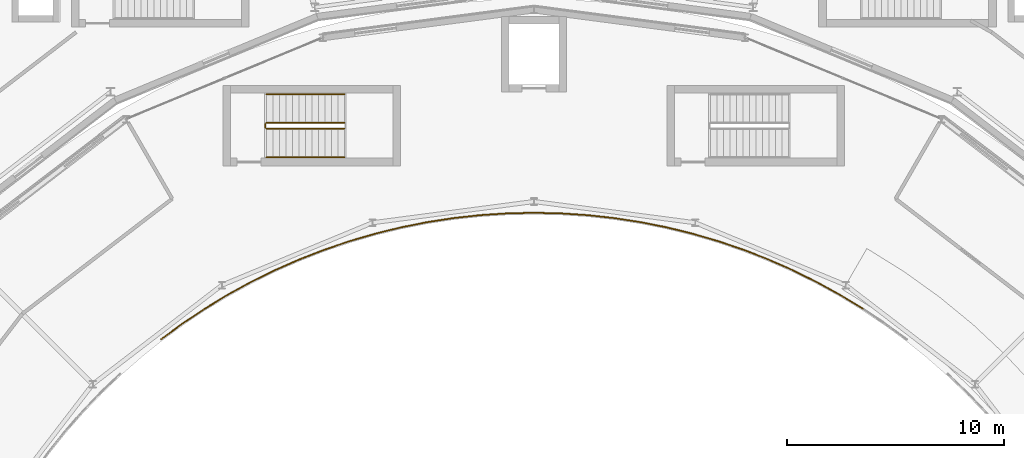
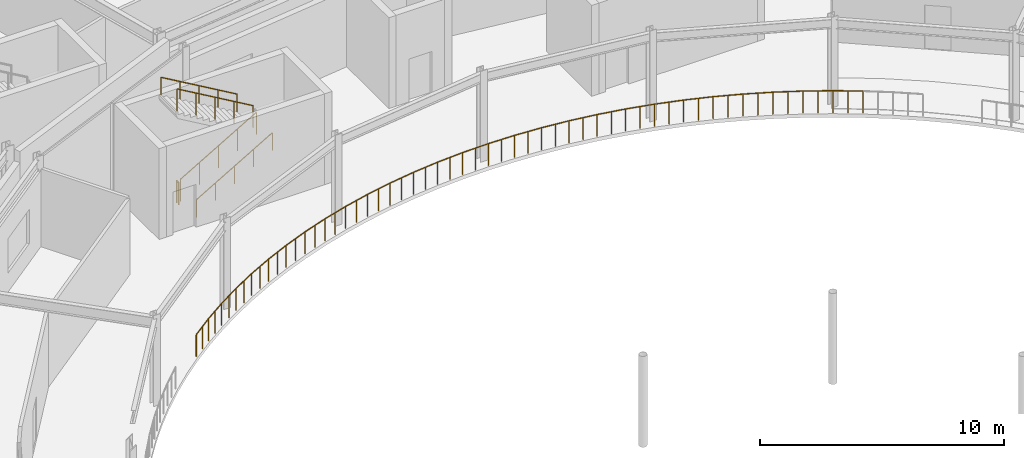
# One storey, part 148 of 157: 33 railings.
"""IFC4 building model written with IfcOpenShell, lengths in metres."""

from ifc_helpers import new_model, si_unit, direction, frame, origin, origin_2d, place, context, subcontext, project, spatial, circle, extrude, material, type_object, element, save


model = new_model("IFC4")

# Units and contexts
model_context = context("Model", 3, precision=1e-05, world=origin(), true_north=direction((0.0, 1.0)))
body_context = subcontext(model_context, "Body", "Model", "MODEL_VIEW")
ifc_project = project(units=[si_unit("LENGTHUNIT", "METRE"), si_unit("AREAUNIT", "SQUARE_METRE"), si_unit("VOLUMEUNIT", "CUBIC_METRE"), si_unit("PLANEANGLEUNIT", "RADIAN"), si_unit("MASSUNIT", "GRAM", prefix="KILO")], contexts=[model_context])

# Site, building, storey
site_placement = place(None, origin())
site = spatial("IfcSite", under=ifc_project, at=site_placement, CompositionType="ELEMENT")
building_placement = place(site_placement, origin())
building = spatial("IfcBuilding", under=site, at=building_placement, Name="Almandine Court Research Institute", CompositionType="ELEMENT")
storey_placement = place(building_placement, frame((0.0, 0.0, 5.25)))
storey = spatial("IfcBuildingStorey", under=building, at=storey_placement, Name="L01", CompositionType="ELEMENT", Elevation=5.25)

# Railings
ifc_material_1 = material(Name="Powder-Coated Steel Stair and Atrium Balustrade", Category="steel")
railing_type_1 = type_object("IfcRailingType", Name="Rail-GUARD-INT", PredefinedType="BALUSTRADE", material=ifc_material_1)
railing_1_placement = place(storey_placement, frame((74.64990234375, 88.169921875, 0.175048828125)))
element("IfcRailing", 1, at=railing_1_placement, inside=storey, type_object=railing_type_1, Name="L01 ST-04 stair guard 1", PredefinedType="BALUSTRADE", context=body_context, shape_type="SweptSolid", body=[
    extrude(circle(Radius=0.02392578125, at=origin_2d()), frame((0.0, 0.0, 1.09619140625), z_axis=(0.863800146258, 0.0, 0.503834603144), x_axis=(0.0, 1.0, 0.0)), (0.0, 0.0, 1.0), 4.167724609375),
    extrude(circle(Radius=0.02099609375, at=origin_2d()), origin(), (0.0, 0.0, 1.0), 1.072021484375),
    extrude(circle(Radius=0.02099609375, at=origin_2d()), frame((0.89990234375, 0.0, 0.52490234375)), (0.0, 0.0, 1.0), 1.072021484375),
    extrude(circle(Radius=0.02099609375, at=origin_2d()), frame((1.800048828125, 0.0, 1.0498046875)), (0.0, 0.0, 1.0), 1.072021484375),
    extrude(circle(Radius=0.02099609375, at=origin_2d()), frame((2.7001953125, 0.0, 1.574951171875)), (0.0, 0.0, 1.0), 1.072021484375),
    extrude(circle(Radius=0.02099609375, at=origin_2d()), frame((3.60009765625, 0.0, 2.099853515625)), (0.0, 0.0, 1.0), 1.072021484375),
])
railing_2_placement = place(storey_placement, frame((78.25, 88.429931640625, 2.449951171875)))
element("IfcRailing", 2, at=railing_2_placement, inside=storey, type_object=railing_type_1, Name="L01 ST-04 stair guard 3", PredefinedType="BALUSTRADE", context=body_context, shape_type="SweptSolid", body=[
    extrude(circle(Radius=0.02392578125, at=origin_2d()), frame((0.0, 0.0, 1.09619140625), z_axis=(-0.863774651768, 0.0, 0.503878309678), x_axis=(0.0, -1.0, 0.0)), (0.0, 0.0, 1.0), 4.16796875),
    extrude(circle(Radius=0.02099609375, at=origin_2d()), origin(), (0.0, 0.0, 1.0), 1.072021484375),
    extrude(circle(Radius=0.02099609375, at=origin_2d()), frame((-0.89990234375, 0.0, 0.52490234375)), (0.0, 0.0, 1.0), 1.072021484375),
    extrude(circle(Radius=0.02099609375, at=origin_2d()), frame((-1.800048828125, 0.0, 1.050048828125)), (0.0, 0.0, 1.0), 1.072021484375),
    extrude(circle(Radius=0.02099609375, at=origin_2d()), frame((-2.7001953125, 0.0, 1.5751953125)), (0.0, 0.0, 1.0), 1.072021484375),
    extrude(circle(Radius=0.02099609375, at=origin_2d()), frame((-3.60009765625, 0.0, 2.10009765625)), (0.0, 0.0, 1.0), 1.072021484375),
])
railing_3_placement = place(storey_placement, frame((74.60009765625, 88.219970703125, 0.0)))
element("IfcRailing", 3, at=railing_3_placement, inside=storey, type_object=railing_type_1, Name="L01 ST-04 stair guard 4", PredefinedType="BALUSTRADE", context=body_context, shape_type="SweptSolid", body=[
    extrude(circle(Radius=0.02392578125, at=origin_2d()), frame((0.0, 0.0, 1.09619140625), z_axis=(0.0, 1.0, 0.0), x_axis=(-1.0, 0.0, 0.0)), (0.0, 0.0, 1.0), 0.159912109375),
    extrude(circle(Radius=0.02099609375, at=origin_2d()), origin(), (0.0, 0.0, 1.0), 1.072021484375),
    extrude(circle(Radius=0.02099609375, at=origin_2d()), frame((0.0, 0.159912109375, 0.0)), (0.0, 0.0, 1.0), 1.072021484375),
])
railing_4_placement = place(storey_placement, frame((102.195068359375, 79.85107421875, 0.0)))
element("IfcRailing", 4, at=railing_4_placement, inside=storey, type_object=railing_type_1, Name="L01 Atrium Gallery Void Balustrade 036", PredefinedType="BALUSTRADE", context=body_context, shape_type="SweptSolid", body=[
    extrude(circle(Radius=0.02392578125, at=origin_2d()), frame((0.0, 0.0, 1.09619140625), z_axis=(-0.855056961461, 0.518534080516, 0.0), x_axis=(-0.518534080516, -0.855056961461, 0.0)), (0.0, 0.0, 1.0), 1.234130859375),
    extrude(circle(Radius=0.02099609375, at=origin_2d()), origin(), (0.0, 0.0, 1.0), 1.072021484375),
    extrude(circle(Radius=0.02099609375, at=origin_2d()), frame((-0.527587890625, 0.31982421875, 0.0)), (0.0, 0.0, 1.0), 1.072021484375),
    extrude(circle(Radius=0.02099609375, at=origin_2d()), frame((-1.05517578125, 0.639892578125, 0.0)), (0.0, 0.0, 1.0), 1.072021484375),
])
railing_5_placement = place(storey_placement, frame((101.139892578125, 80.490966796875, 0.0)))
element("IfcRailing", 5, at=railing_5_placement, inside=storey, type_object=railing_type_1, Name="L01 Atrium Gallery Void Balustrade 037", PredefinedType="BALUSTRADE", context=body_context, shape_type="SweptSolid", body=[
    extrude(circle(Radius=0.02392578125, at=origin_2d()), frame((0.0, 0.0, 1.09619140625), z_axis=(-0.876554004385, 0.481303518995, 0.0), x_axis=(-0.481303518995, -0.876554004385, 0.0)), (0.0, 0.0, 1.0), 1.234130859375),
    extrude(circle(Radius=0.02099609375, at=origin_2d()), origin(), (0.0, 0.0, 1.0), 1.072021484375),
    extrude(circle(Radius=0.02099609375, at=origin_2d()), frame((-0.541015625, 0.296875, 0.0)), (0.0, 0.0, 1.0), 1.072021484375),
    extrude(circle(Radius=0.02099609375, at=origin_2d()), frame((-1.081787109375, 0.593994140625, 0.0)), (0.0, 0.0, 1.0), 1.072021484375),
])
railing_6_placement = place(storey_placement, frame((100.05810546875, 81.0849609375, 0.0)))
element("IfcRailing", 6, at=railing_6_placement, inside=storey, type_object=railing_type_1, Name="L01 Atrium Gallery Void Balustrade 038", PredefinedType="BALUSTRADE", context=body_context, shape_type="SweptSolid", body=[
    extrude(circle(Radius=0.02392578125, at=origin_2d()), frame((0.0, 0.0, 1.09619140625), z_axis=(-0.897064435148, 0.441899761476, 0.0), x_axis=(-0.441899761476, -0.897064435148, 0.0)), (0.0, 0.0, 1.0), 1.233154296875),
    extrude(circle(Radius=0.02099609375, at=origin_2d()), origin(), (0.0, 0.0, 1.0), 1.072021484375),
    extrude(circle(Radius=0.02099609375, at=origin_2d()), frame((-0.55322265625, 0.2724609375, 0.0)), (0.0, 0.0, 1.0), 1.072021484375),
    extrude(circle(Radius=0.02099609375, at=origin_2d()), frame((-1.106201171875, 0.544921875, 0.0)), (0.0, 0.0, 1.0), 1.072021484375),
])
railing_7_placement = place(storey_placement, frame((98.951904296875, 81.6298828125, 0.0)))
element("IfcRailing", 7, at=railing_7_placement, inside=storey, type_object=railing_type_1, Name="L01 Atrium Gallery Void Balustrade 039", PredefinedType="BALUSTRADE", context=body_context, shape_type="SweptSolid", body=[
    extrude(circle(Radius=0.02392578125, at=origin_2d()), frame((0.0, 0.0, 1.09619140625), z_axis=(-0.915338361823, 0.402685588736, 0.0), x_axis=(-0.402685588736, -0.915338361823, 0.0)), (0.0, 0.0, 1.0), 1.234375),
    extrude(circle(Radius=0.02099609375, at=origin_2d()), origin(), (0.0, 0.0, 1.0), 1.072021484375),
    extrude(circle(Radius=0.02099609375, at=origin_2d()), frame((-0.56494140625, 0.24853515625, 0.0)), (0.0, 0.0, 1.0), 1.072021484375),
    extrude(circle(Radius=0.02099609375, at=origin_2d()), frame((-1.1298828125, 0.4970703125, 0.0)), (0.0, 0.0, 1.0), 1.072021484375),
])
railing_8_placement = place(storey_placement, frame((97.822021484375, 82.126953125, 0.0)))
element("IfcRailing", 8, at=railing_8_placement, inside=storey, type_object=railing_type_1, Name="L01 Atrium Gallery Void Balustrade 040", PredefinedType="BALUSTRADE", context=body_context, shape_type="SweptSolid", body=[
    extrude(circle(Radius=0.02392578125, at=origin_2d()), frame((0.0, 0.0, 1.09619140625), z_axis=(-0.931781737295, 0.363018999562, 0.0), x_axis=(-0.363018999562, -0.931781737295, 0.0)), (0.0, 0.0, 1.0), 1.234130859375),
    extrude(circle(Radius=0.02099609375, at=origin_2d()), origin(), (0.0, 0.0, 1.0), 1.072021484375),
    extrude(circle(Radius=0.02099609375, at=origin_2d()), frame((-0.574951171875, 0.22412109375, 0.0)), (0.0, 0.0, 1.0), 1.072021484375),
    extrude(circle(Radius=0.02099609375, at=origin_2d()), frame((-1.14990234375, 0.447998046875, 0.0)), (0.0, 0.0, 1.0), 1.072021484375),
])
railing_9_placement = place(storey_placement, frame((96.672119140625, 82.574951171875, 0.0)))
element("IfcRailing", 9, at=railing_9_placement, inside=storey, type_object=railing_type_1, Name="L01 Atrium Gallery Void Balustrade 041", PredefinedType="BALUSTRADE", context=body_context, shape_type="SweptSolid", body=[
    extrude(circle(Radius=0.02392578125, at=origin_2d()), frame((0.0, 0.0, 1.09619140625), z_axis=(-0.947067919328, 0.321033263354, 0.0), x_axis=(-0.321033263354, -0.947067919328, 0.0)), (0.0, 0.0, 1.0), 1.2333984375),
    extrude(circle(Radius=0.02099609375, at=origin_2d()), origin(), (0.0, 0.0, 1.0), 1.072021484375),
    extrude(circle(Radius=0.02099609375, at=origin_2d()), frame((-0.583984375, 0.197998046875, 0.0)), (0.0, 0.0, 1.0), 1.072021484375),
    extrude(circle(Radius=0.02099609375, at=origin_2d()), frame((-1.168212890625, 0.39599609375, 0.0)), (0.0, 0.0, 1.0), 1.072021484375),
])
railing_10_placement = place(storey_placement, frame((95.50390625, 82.970947265625, 0.0)))
element("IfcRailing", 10, at=railing_10_placement, inside=storey, type_object=railing_type_1, Name="L01 Atrium Gallery Void Balustrade 042", PredefinedType="BALUSTRADE", context=body_context, shape_type="SweptSolid", body=[
    extrude(circle(Radius=0.02392578125, at=origin_2d()), frame((0.0, 0.0, 1.09619140625), z_axis=(-0.960130629815, 0.279551737055, 0.0), x_axis=(-0.279551737055, -0.960130629815, 0.0)), (0.0, 0.0, 1.0), 1.234130859375),
    extrude(circle(Radius=0.02099609375, at=origin_2d()), origin(), (0.0, 0.0, 1.0), 1.072021484375),
    extrude(circle(Radius=0.02099609375, at=origin_2d()), frame((-0.59228515625, 0.17236328125, 0.0)), (0.0, 0.0, 1.0), 1.072021484375),
    extrude(circle(Radius=0.02099609375, at=origin_2d()), frame((-1.184814453125, 0.344970703125, 0.0)), (0.0, 0.0, 1.0), 1.072021484375),
])
railing_11_placement = place(storey_placement, frame((94.319091796875, 83.31591796875, 0.0)))
element("IfcRailing", 11, at=railing_11_placement, inside=storey, type_object=railing_type_1, Name="L01 Atrium Gallery Void Balustrade 043", PredefinedType="BALUSTRADE", context=body_context, shape_type="SweptSolid", body=[
    extrude(circle(Radius=0.02392578125, at=origin_2d()), frame((0.0, 0.0, 1.09619140625), z_axis=(-0.971146876983, 0.238482165634, 0.0), x_axis=(-0.238482165634, -0.971146876983, 0.0)), (0.0, 0.0, 1.0), 1.233642578125),
    extrude(circle(Radius=0.02099609375, at=origin_2d()), origin(), (0.0, 0.0, 1.0), 1.072021484375),
    extrude(circle(Radius=0.02099609375, at=origin_2d()), frame((-0.59912109375, 0.14697265625, 0.0)), (0.0, 0.0, 1.0), 1.072021484375),
    extrude(circle(Radius=0.02099609375, at=origin_2d()), frame((-1.197998046875, 0.294189453125, 0.0)), (0.0, 0.0, 1.0), 1.072021484375),
])
railing_12_placement = place(storey_placement, frame((93.12109375, 83.610107421875, 0.0)))
element("IfcRailing", 12, at=railing_12_placement, inside=storey, type_object=railing_type_1, Name="L01 Atrium Gallery Void Balustrade 044", PredefinedType="BALUSTRADE", context=body_context, shape_type="SweptSolid", body=[
    extrude(circle(Radius=0.02392578125, at=origin_2d()), frame((0.0, 0.0, 1.09619140625), z_axis=(-0.980899028027, 0.194517600272, 0.0), x_axis=(-0.194517600272, -0.980899028027, 0.0)), (0.0, 0.0, 1.0), 1.23388671875),
    extrude(circle(Radius=0.02099609375, at=origin_2d()), origin(), (0.0, 0.0, 1.0), 1.072021484375),
    extrude(circle(Radius=0.02099609375, at=origin_2d()), frame((-0.60498046875, 0.1201171875, 0.0)), (0.0, 0.0, 1.0), 1.072021484375),
    extrude(circle(Radius=0.02099609375, at=origin_2d()), frame((-1.210205078125, 0.239990234375, 0.0)), (0.0, 0.0, 1.0), 1.072021484375),
])
railing_13_placement = place(storey_placement, frame((91.910888671875, 83.85009765625, 0.0)))
element("IfcRailing", 13, at=railing_13_placement, inside=storey, type_object=railing_type_1, Name="L01 Atrium Gallery Void Balustrade 045", PredefinedType="BALUSTRADE", context=body_context, shape_type="SweptSolid", body=[
    extrude(circle(Radius=0.02392578125, at=origin_2d()), frame((0.0, 0.0, 1.09619140625), z_axis=(-0.988335084408, 0.152294979987, 0.0), x_axis=(-0.152294979987, -0.988335084408, 0.0)), (0.0, 0.0, 1.0), 1.234375),
    extrude(circle(Radius=0.02099609375, at=origin_2d()), origin(), (0.0, 0.0, 1.0), 1.072021484375),
    extrude(circle(Radius=0.02099609375, at=origin_2d()), frame((-0.60986328125, 0.093994140625, 0.0)), (0.0, 0.0, 1.0), 1.072021484375),
    extrude(circle(Radius=0.02099609375, at=origin_2d()), frame((-1.219970703125, 0.18798828125, 0.0)), (0.0, 0.0, 1.0), 1.072021484375),
])
railing_14_placement = place(storey_placement, frame((90.69091796875, 84.0380859375, 0.0)))
element("IfcRailing", 14, at=railing_14_placement, inside=storey, type_object=railing_type_1, Name="L01 Atrium Gallery Void Balustrade 046", PredefinedType="BALUSTRADE", context=body_context, shape_type="SweptSolid", body=[
    extrude(circle(Radius=0.02392578125, at=origin_2d()), frame((0.0, 0.0, 1.09619140625), z_axis=(-0.994075369046, 0.108692965068, 0.0), x_axis=(-0.108692965068, -0.994075369046, 0.0)), (0.0, 0.0, 1.0), 1.233154296875),
    extrude(circle(Radius=0.02099609375, at=origin_2d()), origin(), (0.0, 0.0, 1.0), 1.072021484375),
    extrude(circle(Radius=0.02099609375, at=origin_2d()), frame((-0.61279296875, 0.06689453125, 0.0)), (0.0, 0.0, 1.0), 1.072021484375),
    extrude(circle(Radius=0.02099609375, at=origin_2d()), frame((-1.225830078125, 0.134033203125, 0.0)), (0.0, 0.0, 1.0), 1.072021484375),
])
railing_15_placement = place(storey_placement, frame((89.465087890625, 84.172119140625, 0.0)))
element("IfcRailing", 15, at=railing_15_placement, inside=storey, type_object=railing_type_1, Name="L01 Atrium Gallery Void Balustrade 047", PredefinedType="BALUSTRADE", context=body_context, shape_type="SweptSolid", body=[
    extrude(circle(Radius=0.02392578125, at=origin_2d()), frame((0.0, 0.0, 1.09619140625), z_axis=(-0.99785292307, 0.065494609862, 0.0), x_axis=(-0.065494609862, -0.99785292307, 0.0)), (0.0, 0.0, 1.0), 1.23388671875),
    extrude(circle(Radius=0.02099609375, at=origin_2d()), origin(), (0.0, 0.0, 1.0), 1.072021484375),
    extrude(circle(Radius=0.02099609375, at=origin_2d()), frame((-0.61572265625, 0.04052734375, 0.0)), (0.0, 0.0, 1.0), 1.072021484375),
    extrude(circle(Radius=0.02099609375, at=origin_2d()), frame((-1.231201171875, 0.080810546875, 0.0)), (0.0, 0.0, 1.0), 1.072021484375),
])
railing_16_placement = place(storey_placement, frame((88.23388671875, 84.2529296875, 0.0)))
element("IfcRailing", 16, at=railing_16_placement, inside=storey, type_object=railing_type_1, Name="L01 Atrium Gallery Void Balustrade 048", PredefinedType="BALUSTRADE", context=body_context, shape_type="SweptSolid", body=[
    extrude(circle(Radius=0.02392578125, at=origin_2d()), frame((0.0, 0.0, 1.09619140625), z_axis=(-0.999758904888, 0.021957506617, 0.0), x_axis=(-0.021957506617, -0.999758904888, 0.0)), (0.0, 0.0, 1.0), 1.234130859375),
    extrude(circle(Radius=0.02099609375, at=origin_2d()), origin(), (0.0, 0.0, 1.0), 1.072021484375),
    extrude(circle(Radius=0.02099609375, at=origin_2d()), frame((-0.616943359375, 0.013671875, 0.0)), (0.0, 0.0, 1.0), 1.072021484375),
    extrude(circle(Radius=0.02099609375, at=origin_2d()), frame((-1.23388671875, 0.027099609375, 0.0)), (0.0, 0.0, 1.0), 1.072021484375),
])
railing_17_placement = place(storey_placement, frame((87.0, 84.280029296875, 0.0)))
element("IfcRailing", 17, at=railing_17_placement, inside=storey, type_object=railing_type_1, Name="L01 Atrium Gallery Void Balustrade 049", PredefinedType="BALUSTRADE", context=body_context, shape_type="SweptSolid", body=[
    extrude(circle(Radius=0.02392578125, at=origin_2d()), frame((0.0, 0.0, 1.09619140625), z_axis=(-0.999758904888, -0.021957506617, 0.0), x_axis=(0.021957506617, -0.999758904888, 0.0)), (0.0, 0.0, 1.0), 1.234130859375),
    extrude(circle(Radius=0.02099609375, at=origin_2d()), origin(), (0.0, 0.0, 1.0), 1.072021484375),
    extrude(circle(Radius=0.02099609375, at=origin_2d()), frame((-0.616943359375, -0.013671875, 0.0)), (0.0, 0.0, 1.0), 1.072021484375),
    extrude(circle(Radius=0.02099609375, at=origin_2d()), frame((-1.23388671875, -0.027099609375, 0.0)), (0.0, 0.0, 1.0), 1.072021484375),
])
railing_18_placement = place(storey_placement, frame((85.76611328125, 84.2529296875, 0.0)))
element("IfcRailing", 18, at=railing_18_placement, inside=storey, type_object=railing_type_1, Name="L01 Atrium Gallery Void Balustrade 050", PredefinedType="BALUSTRADE", context=body_context, shape_type="SweptSolid", body=[
    extrude(circle(Radius=0.02392578125, at=origin_2d()), frame((0.0, 0.0, 1.09619140625), z_axis=(-0.99785292307, -0.065494609862, 0.0), x_axis=(0.065494609862, -0.99785292307, 0.0)), (0.0, 0.0, 1.0), 1.23388671875),
    extrude(circle(Radius=0.02099609375, at=origin_2d()), origin(), (0.0, 0.0, 1.0), 1.072021484375),
    extrude(circle(Radius=0.02099609375, at=origin_2d()), frame((-0.61572265625, -0.04052734375, 0.0)), (0.0, 0.0, 1.0), 1.072021484375),
    extrude(circle(Radius=0.02099609375, at=origin_2d()), frame((-1.231201171875, -0.080810546875, 0.0)), (0.0, 0.0, 1.0), 1.072021484375),
])
railing_19_placement = place(storey_placement, frame((84.534912109375, 84.172119140625, 0.0)))
element("IfcRailing", 19, at=railing_19_placement, inside=storey, type_object=railing_type_1, Name="L01 Atrium Gallery Void Balustrade 051", PredefinedType="BALUSTRADE", context=body_context, shape_type="SweptSolid", body=[
    extrude(circle(Radius=0.02392578125, at=origin_2d()), frame((0.0, 0.0, 1.09619140625), z_axis=(-0.994075369046, -0.108692965068, 0.0), x_axis=(0.108692965068, -0.994075369046, 0.0)), (0.0, 0.0, 1.0), 1.233154296875),
    extrude(circle(Radius=0.02099609375, at=origin_2d()), origin(), (0.0, 0.0, 1.0), 1.072021484375),
    extrude(circle(Radius=0.02099609375, at=origin_2d()), frame((-0.61279296875, -0.06689453125, 0.0)), (0.0, 0.0, 1.0), 1.072021484375),
    extrude(circle(Radius=0.02099609375, at=origin_2d()), frame((-1.225830078125, -0.134033203125, 0.0)), (0.0, 0.0, 1.0), 1.072021484375),
])
railing_20_placement = place(storey_placement, frame((83.30908203125, 84.0380859375, 0.0)))
element("IfcRailing", 20, at=railing_20_placement, inside=storey, type_object=railing_type_1, Name="L01 Atrium Gallery Void Balustrade 052", PredefinedType="BALUSTRADE", context=body_context, shape_type="SweptSolid", body=[
    extrude(circle(Radius=0.02392578125, at=origin_2d()), frame((0.0, 0.0, 1.09619140625), z_axis=(-0.988335084408, -0.152294979987, 0.0), x_axis=(0.152294979987, -0.988335084408, 0.0)), (0.0, 0.0, 1.0), 1.234375),
    extrude(circle(Radius=0.02099609375, at=origin_2d()), origin(), (0.0, 0.0, 1.0), 1.072021484375),
    extrude(circle(Radius=0.02099609375, at=origin_2d()), frame((-0.60986328125, -0.093994140625, 0.0)), (0.0, 0.0, 1.0), 1.072021484375),
    extrude(circle(Radius=0.02099609375, at=origin_2d()), frame((-1.219970703125, -0.18798828125, 0.0)), (0.0, 0.0, 1.0), 1.072021484375),
])
railing_21_placement = place(storey_placement, frame((82.089111328125, 83.85009765625, 0.0)))
element("IfcRailing", 21, at=railing_21_placement, inside=storey, type_object=railing_type_1, Name="L01 Atrium Gallery Void Balustrade 053", PredefinedType="BALUSTRADE", context=body_context, shape_type="SweptSolid", body=[
    extrude(circle(Radius=0.02392578125, at=origin_2d()), frame((0.0, 0.0, 1.09619140625), z_axis=(-0.980899028027, -0.194517600272, 0.0), x_axis=(0.194517600272, -0.980899028027, 0.0)), (0.0, 0.0, 1.0), 1.23388671875),
    extrude(circle(Radius=0.02099609375, at=origin_2d()), origin(), (0.0, 0.0, 1.0), 1.072021484375),
    extrude(circle(Radius=0.02099609375, at=origin_2d()), frame((-0.60498046875, -0.1201171875, 0.0)), (0.0, 0.0, 1.0), 1.072021484375),
    extrude(circle(Radius=0.02099609375, at=origin_2d()), frame((-1.210205078125, -0.239990234375, 0.0)), (0.0, 0.0, 1.0), 1.072021484375),
])
railing_22_placement = place(storey_placement, frame((80.87890625, 83.610107421875, 0.0)))
element("IfcRailing", 22, at=railing_22_placement, inside=storey, type_object=railing_type_1, Name="L01 Atrium Gallery Void Balustrade 054", PredefinedType="BALUSTRADE", context=body_context, shape_type="SweptSolid", body=[
    extrude(circle(Radius=0.02392578125, at=origin_2d()), frame((0.0, 0.0, 1.09619140625), z_axis=(-0.971146876983, -0.238482165634, 0.0), x_axis=(0.238482165634, -0.971146876983, 0.0)), (0.0, 0.0, 1.0), 1.233642578125),
    extrude(circle(Radius=0.02099609375, at=origin_2d()), origin(), (0.0, 0.0, 1.0), 1.072021484375),
    extrude(circle(Radius=0.02099609375, at=origin_2d()), frame((-0.59912109375, -0.14697265625, 0.0)), (0.0, 0.0, 1.0), 1.072021484375),
    extrude(circle(Radius=0.02099609375, at=origin_2d()), frame((-1.197998046875, -0.294189453125, 0.0)), (0.0, 0.0, 1.0), 1.072021484375),
])
railing_23_placement = place(storey_placement, frame((79.680908203125, 83.31591796875, 0.0)))
element("IfcRailing", 23, at=railing_23_placement, inside=storey, type_object=railing_type_1, Name="L01 Atrium Gallery Void Balustrade 055", PredefinedType="BALUSTRADE", context=body_context, shape_type="SweptSolid", body=[
    extrude(circle(Radius=0.02392578125, at=origin_2d()), frame((0.0, 0.0, 1.09619140625), z_axis=(-0.960130629815, -0.279551737055, 0.0), x_axis=(0.279551737055, -0.960130629815, 0.0)), (0.0, 0.0, 1.0), 1.234130859375),
    extrude(circle(Radius=0.02099609375, at=origin_2d()), origin(), (0.0, 0.0, 1.0), 1.072021484375),
    extrude(circle(Radius=0.02099609375, at=origin_2d()), frame((-0.59228515625, -0.17236328125, 0.0)), (0.0, 0.0, 1.0), 1.072021484375),
    extrude(circle(Radius=0.02099609375, at=origin_2d()), frame((-1.184814453125, -0.344970703125, 0.0)), (0.0, 0.0, 1.0), 1.072021484375),
])
railing_24_placement = place(storey_placement, frame((78.49609375, 82.970947265625, 0.0)))
element("IfcRailing", 24, at=railing_24_placement, inside=storey, type_object=railing_type_1, Name="L01 Atrium Gallery Void Balustrade 056", PredefinedType="BALUSTRADE", context=body_context, shape_type="SweptSolid", body=[
    extrude(circle(Radius=0.02392578125, at=origin_2d()), frame((0.0, 0.0, 1.09619140625), z_axis=(-0.947067919328, -0.321033263354, 0.0), x_axis=(0.321033263354, -0.947067919328, 0.0)), (0.0, 0.0, 1.0), 1.2333984375),
    extrude(circle(Radius=0.02099609375, at=origin_2d()), origin(), (0.0, 0.0, 1.0), 1.072021484375),
    extrude(circle(Radius=0.02099609375, at=origin_2d()), frame((-0.583984375, -0.197998046875, 0.0)), (0.0, 0.0, 1.0), 1.072021484375),
    extrude(circle(Radius=0.02099609375, at=origin_2d()), frame((-1.168212890625, -0.39599609375, 0.0)), (0.0, 0.0, 1.0), 1.072021484375),
])
railing_25_placement = place(storey_placement, frame((77.327880859375, 82.574951171875, 0.0)))
element("IfcRailing", 25, at=railing_25_placement, inside=storey, type_object=railing_type_1, Name="L01 Atrium Gallery Void Balustrade 057", PredefinedType="BALUSTRADE", context=body_context, shape_type="SweptSolid", body=[
    extrude(circle(Radius=0.02392578125, at=origin_2d()), frame((0.0, 0.0, 1.09619140625), z_axis=(-0.931781737295, -0.363018999562, 0.0), x_axis=(0.363018999562, -0.931781737295, 0.0)), (0.0, 0.0, 1.0), 1.234130859375),
    extrude(circle(Radius=0.02099609375, at=origin_2d()), origin(), (0.0, 0.0, 1.0), 1.072021484375),
    extrude(circle(Radius=0.02099609375, at=origin_2d()), frame((-0.574951171875, -0.22412109375, 0.0)), (0.0, 0.0, 1.0), 1.072021484375),
    extrude(circle(Radius=0.02099609375, at=origin_2d()), frame((-1.14990234375, -0.447998046875, 0.0)), (0.0, 0.0, 1.0), 1.072021484375),
])
railing_26_placement = place(storey_placement, frame((76.177978515625, 82.126953125, 0.0)))
element("IfcRailing", 26, at=railing_26_placement, inside=storey, type_object=railing_type_1, Name="L01 Atrium Gallery Void Balustrade 058", PredefinedType="BALUSTRADE", context=body_context, shape_type="SweptSolid", body=[
    extrude(circle(Radius=0.02392578125, at=origin_2d()), frame((0.0, 0.0, 1.09619140625), z_axis=(-0.915338361823, -0.402685588736, 0.0), x_axis=(0.402685588736, -0.915338361823, 0.0)), (0.0, 0.0, 1.0), 1.234375),
    extrude(circle(Radius=0.02099609375, at=origin_2d()), origin(), (0.0, 0.0, 1.0), 1.072021484375),
    extrude(circle(Radius=0.02099609375, at=origin_2d()), frame((-0.56494140625, -0.24853515625, 0.0)), (0.0, 0.0, 1.0), 1.072021484375),
    extrude(circle(Radius=0.02099609375, at=origin_2d()), frame((-1.1298828125, -0.4970703125, 0.0)), (0.0, 0.0, 1.0), 1.072021484375),
])
railing_27_placement = place(storey_placement, frame((75.048095703125, 81.6298828125, 0.0)))
element("IfcRailing", 27, at=railing_27_placement, inside=storey, type_object=railing_type_1, Name="L01 Atrium Gallery Void Balustrade 059", PredefinedType="BALUSTRADE", context=body_context, shape_type="SweptSolid", body=[
    extrude(circle(Radius=0.02392578125, at=origin_2d()), frame((0.0, 0.0, 1.09619140625), z_axis=(-0.897064435148, -0.441899761476, 0.0), x_axis=(0.441899761476, -0.897064435148, 0.0)), (0.0, 0.0, 1.0), 1.233154296875),
    extrude(circle(Radius=0.02099609375, at=origin_2d()), origin(), (0.0, 0.0, 1.0), 1.072021484375),
    extrude(circle(Radius=0.02099609375, at=origin_2d()), frame((-0.55322265625, -0.2724609375, 0.0)), (0.0, 0.0, 1.0), 1.072021484375),
    extrude(circle(Radius=0.02099609375, at=origin_2d()), frame((-1.106201171875, -0.544921875, 0.0)), (0.0, 0.0, 1.0), 1.072021484375),
])
railing_28_placement = place(storey_placement, frame((73.94189453125, 81.0849609375, 0.0)))
element("IfcRailing", 28, at=railing_28_placement, inside=storey, type_object=railing_type_1, Name="L01 Atrium Gallery Void Balustrade 060", PredefinedType="BALUSTRADE", context=body_context, shape_type="SweptSolid", body=[
    extrude(circle(Radius=0.02392578125, at=origin_2d()), frame((0.0, 0.0, 1.09619140625), z_axis=(-0.876554004385, -0.481303518995, 0.0), x_axis=(0.481303518995, -0.876554004385, 0.0)), (0.0, 0.0, 1.0), 1.234130859375),
    extrude(circle(Radius=0.02099609375, at=origin_2d()), origin(), (0.0, 0.0, 1.0), 1.072021484375),
    extrude(circle(Radius=0.02099609375, at=origin_2d()), frame((-0.541015625, -0.296875, 0.0)), (0.0, 0.0, 1.0), 1.072021484375),
    extrude(circle(Radius=0.02099609375, at=origin_2d()), frame((-1.081787109375, -0.593994140625, 0.0)), (0.0, 0.0, 1.0), 1.072021484375),
])
railing_29_placement = place(storey_placement, frame((72.860107421875, 80.490966796875, 0.0)))
element("IfcRailing", 29, at=railing_29_placement, inside=storey, type_object=railing_type_1, Name="L01 Atrium Gallery Void Balustrade 061", PredefinedType="BALUSTRADE", context=body_context, shape_type="SweptSolid", body=[
    extrude(circle(Radius=0.02392578125, at=origin_2d()), frame((0.0, 0.0, 1.09619140625), z_axis=(-0.855056961461, -0.518534080516, 0.0), x_axis=(0.518534080516, -0.855056961461, 0.0)), (0.0, 0.0, 1.0), 1.234130859375),
    extrude(circle(Radius=0.02099609375, at=origin_2d()), origin(), (0.0, 0.0, 1.0), 1.072021484375),
    extrude(circle(Radius=0.02099609375, at=origin_2d()), frame((-0.527587890625, -0.31982421875, 0.0)), (0.0, 0.0, 1.0), 1.072021484375),
    extrude(circle(Radius=0.02099609375, at=origin_2d()), frame((-1.05517578125, -0.639892578125, 0.0)), (0.0, 0.0, 1.0), 1.072021484375),
])
railing_30_placement = place(storey_placement, frame((71.804931640625, 79.85107421875, 0.0)))
element("IfcRailing", 30, at=railing_30_placement, inside=storey, type_object=railing_type_1, Name="L01 Atrium Gallery Void Balustrade 062", PredefinedType="BALUSTRADE", context=body_context, shape_type="SweptSolid", body=[
    extrude(circle(Radius=0.02392578125, at=origin_2d()), frame((0.0, 0.0, 1.09619140625), z_axis=(-0.831623777909, -0.555339438556, 0.0), x_axis=(0.555339438556, -0.831623777909, 0.0)), (0.0, 0.0, 1.0), 1.233642578125),
    extrude(circle(Radius=0.02099609375, at=origin_2d()), origin(), (0.0, 0.0, 1.0), 1.072021484375),
    extrude(circle(Radius=0.02099609375, at=origin_2d()), frame((-0.512939453125, -0.342529296875, 0.0)), (0.0, 0.0, 1.0), 1.072021484375),
    extrude(circle(Radius=0.02099609375, at=origin_2d()), frame((-1.02587890625, -0.68505859375, 0.0)), (0.0, 0.0, 1.0), 1.072021484375),
])
railing_31_placement = place(storey_placement, frame((70.779052734375, 79.166015625, 0.0)))
element("IfcRailing", 31, at=railing_31_placement, inside=storey, type_object=railing_type_1, Name="L01 Atrium Gallery Void Balustrade 063", PredefinedType="BALUSTRADE", context=body_context, shape_type="SweptSolid", body=[
    extrude(circle(Radius=0.02392578125, at=origin_2d()), frame((0.0, 0.0, 1.09619140625), z_axis=(-0.80631693958, -0.591483721625, 0.0), x_axis=(0.591483721625, -0.80631693958, 0.0)), (0.0, 0.0, 1.0), 1.234130859375),
    extrude(circle(Radius=0.02099609375, at=origin_2d()), origin(), (0.0, 0.0, 1.0), 1.072021484375),
    extrude(circle(Radius=0.02099609375, at=origin_2d()), frame((-0.49755859375, -0.364990234375, 0.0)), (0.0, 0.0, 1.0), 1.072021484375),
    extrude(circle(Radius=0.02099609375, at=origin_2d()), frame((-0.9951171875, -0.72998046875, 0.0)), (0.0, 0.0, 1.0), 1.072021484375),
])
ifc_material_2 = material(Name="Brushed Stainless Steel Wall Handrail", Category="steel")
railing_type_2 = type_object("IfcRailingType", Name="Rail-HAND-INT", PredefinedType="HANDRAIL", material=ifc_material_2)
railing_32_placement = place(storey_placement, frame((74.64990234375, 86.85009765625, 0.175048828125)))
element("IfcRailing", 32, at=railing_32_placement, inside=storey, type_object=railing_type_2, Name="L01 ST-04 stair handrail 1", PredefinedType="HANDRAIL", context=body_context, shape_type="SweptSolid", body=[
    extrude(circle(Radius=0.02392578125, at=origin_2d()), frame((0.0, 0.0, 0.8759765625), z_axis=(0.863800146258, 0.0, 0.503834603144), x_axis=(0.0, 1.0, 0.0)), (0.0, 0.0, 1.0), 4.167724609375),
    extrude(circle(Radius=0.02099609375, at=origin_2d()), origin(), (0.0, 0.0, 1.0), 0.851806640625),
    extrude(circle(Radius=0.02099609375, at=origin_2d()), frame((0.89990234375, 0.0, 0.52490234375)), (0.0, 0.0, 1.0), 0.851806640625),
    extrude(circle(Radius=0.02099609375, at=origin_2d()), frame((1.800048828125, 0.0, 1.0498046875)), (0.0, 0.0, 1.0), 0.851806640625),
    extrude(circle(Radius=0.02099609375, at=origin_2d()), frame((2.7001953125, 0.0, 1.574951171875)), (0.0, 0.0, 1.0), 0.851806640625),
    extrude(circle(Radius=0.02099609375, at=origin_2d()), frame((3.60009765625, 0.0, 2.099853515625)), (0.0, 0.0, 1.0), 0.851806640625),
])
railing_33_placement = place(storey_placement, frame((78.25, 89.75, 2.449951171875)))
element("IfcRailing", 33, at=railing_33_placement, inside=storey, type_object=railing_type_2, Name="L01 ST-04 stair handrail 2", PredefinedType="HANDRAIL", context=body_context, shape_type="SweptSolid", body=[
    extrude(circle(Radius=0.02392578125, at=origin_2d()), frame((0.0, 0.0, 0.8759765625), z_axis=(-0.863774651768, 0.0, 0.503878309678), x_axis=(0.0, -1.0, 0.0)), (0.0, 0.0, 1.0), 4.16796875),
    extrude(circle(Radius=0.02099609375, at=origin_2d()), origin(), (0.0, 0.0, 1.0), 0.851806640625),
    extrude(circle(Radius=0.02099609375, at=origin_2d()), frame((-0.89990234375, 0.0, 0.52490234375)), (0.0, 0.0, 1.0), 0.851806640625),
    extrude(circle(Radius=0.02099609375, at=origin_2d()), frame((-1.800048828125, 0.0, 1.050048828125)), (0.0, 0.0, 1.0), 0.851806640625),
    extrude(circle(Radius=0.02099609375, at=origin_2d()), frame((-2.7001953125, 0.0, 1.5751953125)), (0.0, 0.0, 1.0), 0.851806640625),
    extrude(circle(Radius=0.02099609375, at=origin_2d()), frame((-3.60009765625, 0.0, 2.10009765625)), (0.0, 0.0, 1.0), 0.851806640625),
])

save(model, "model.ifc")
